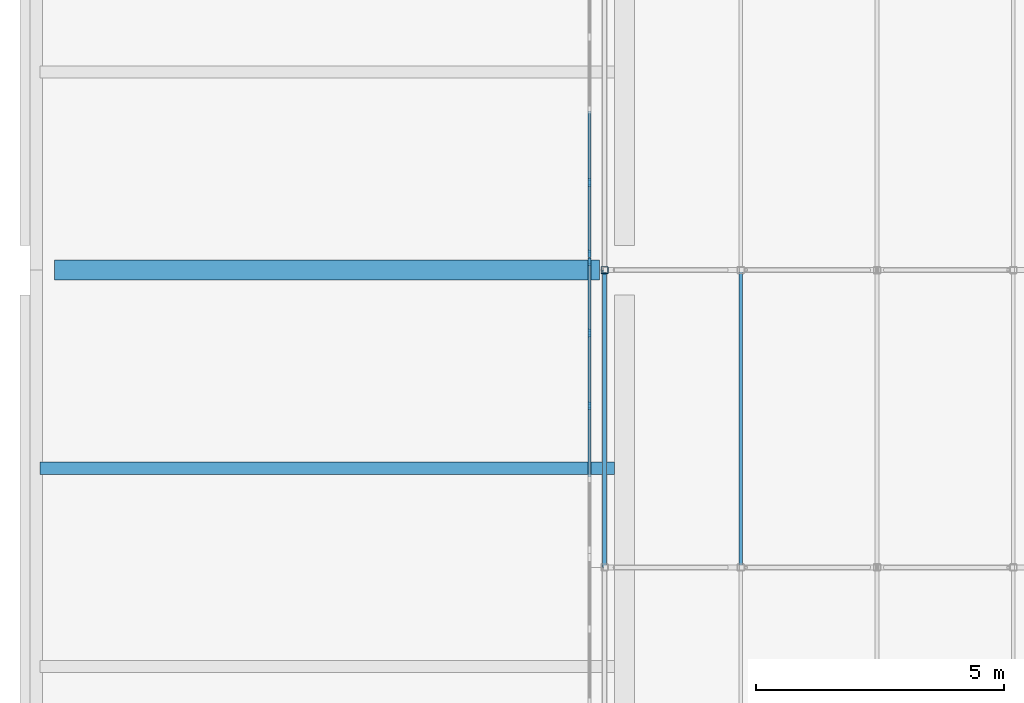
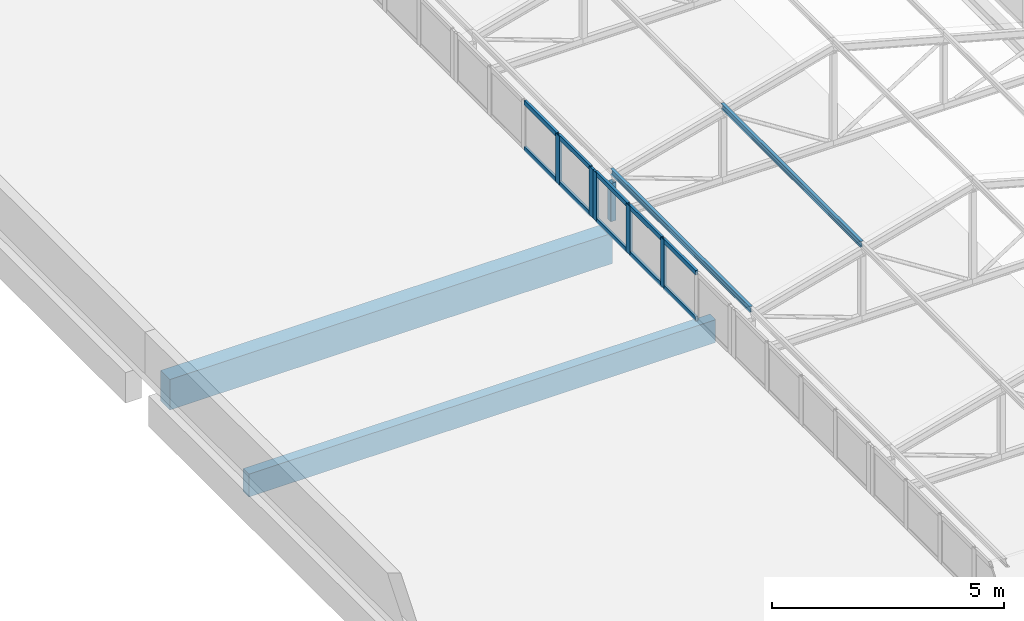
# One storey, part 11 of 94: 18 members, 2 beams, 2 elements without a shape of their own.
"""IFC4 building model written with IfcOpenShell, lengths in metres."""

from ifc_helpers import new_model, si_unit, direction, frame, origin, origin_2d, place, context, subcontext, project, spatial, rectangle, hollow_rectangle, i_section, extrude, material, layer, layer_set, material_profile, profile_set, type_object, element, aggregate, save


model = new_model("IFC4")

# Units and contexts
model_context = context("Model", 3, precision=1e-05, world=origin(), true_north=direction((0.0, 1.0)))
body_context = subcontext(model_context, "Body", "Model", "MODEL_VIEW")
ifc_project = project(units=[si_unit("LENGTHUNIT", "METRE"), si_unit("AREAUNIT", "SQUARE_METRE"), si_unit("VOLUMEUNIT", "CUBIC_METRE"), si_unit("PLANEANGLEUNIT", "RADIAN"), si_unit("MASSUNIT", "GRAM", prefix="KILO")], contexts=[model_context])

# Site, building, storey
site_placement = place(None, origin())
site = spatial("IfcSite", under=ifc_project, at=site_placement, CompositionType="ELEMENT")
building_placement = place(site_placement, origin())
building = spatial("IfcBuilding", under=site, at=building_placement, Name="Lilac Gate Convention Centre", CompositionType="ELEMENT")
storey_placement = place(building_placement, frame((0.0, 0.0, 21.0)))
storey = spatial("IfcBuildingStorey", under=building, at=storey_placement, Name="L04", CompositionType="ELEMENT", Elevation=21.0)

# Curtain wall, members
ifc_material_1 = material(Name="Aluminium framed double glazing", Category="aluminium")
ifc_layer = layer(ifc_material_1, 0.199951171875)
ifc_layer_set = layer_set([ifc_layer], Name="Aluminium framed double glazing")
curtain_wall_type = type_object("IfcCurtainWallType", Name="Unitised curtain wall 1500", PredefinedType="NOTDEFINED", material=ifc_layer_set)
curtain_wall_1_placement = place(storey_placement, origin())
curtain_wall_1 = element("IfcCurtainWall", 1, at=curtain_wall_1_placement, inside=storey, type_object=curtain_wall_type, Name="Lantern clerestory W 6", PredefinedType="NOTDEFINED")
ifc_material_2 = material(Name="Aluminium alloy 6063", Category="aluminium")
ifc_material_profile_1 = material_profile(ifc_material_2, rectangle(XDim=0.06005859375, YDim=0.159912109375, at=origin_2d()), Name="Curtain wall mullion 60 x 160")
ifc_profile_set_1 = profile_set([ifc_material_profile_1], Name="Aluminium alloy 6063")
member_type_1 = type_object("IfcMemberType", Name="Curtain wall mullion 60 x 160", PredefinedType="MULLION", material=ifc_profile_set_1)
member_1_placement = place(storey_placement, frame((17.300048828125, 63.262451171875, 0.0), z_axis=(0.0, 0.0, 1.0), x_axis=(-1.0, 0.0, 0.0)))
member_1 = element("IfcMember", 2, at=member_1_placement, type_object=member_type_1, Name="CW mullion 3", PredefinedType="MULLION", context=body_context, shape_type="SweptSolid", body=[
    extrude(rectangle(XDim=0.06005859375, YDim=0.159912109375, at=origin_2d()), origin(), (0.0, 0.0, 1.0), 1.272216796875),
])
member_2_placement = place(storey_placement, frame((17.300048828125, 64.731201171875, 0.0), z_axis=(0.0, 0.0, 1.0), x_axis=(-1.0, 0.0, 0.0)))
member_2 = element("IfcMember", 3, at=member_2_placement, type_object=member_type_1, Name="CW mullion 4", PredefinedType="MULLION", context=body_context, shape_type="SweptSolid", body=[
    extrude(rectangle(XDim=0.06005859375, YDim=0.159912109375, at=origin_2d()), origin(), (0.0, 0.0, 1.0), 1.272216796875),
])
member_3_placement = place(storey_placement, frame((17.300048828125, 66.169921875, 0.0), z_axis=(0.0, 0.0, 1.0), x_axis=(-1.0, 0.0, 0.0)))
member_3 = element("IfcMember", 4, at=member_3_placement, type_object=member_type_1, Name="CW mullion 5", PredefinedType="MULLION", context=body_context, shape_type="SweptSolid", body=[
    extrude(rectangle(XDim=0.06005859375, YDim=0.159912109375, at=origin_2d()), origin(), (0.0, 0.0, 1.0), 1.272216796875),
])

curtain_wall_2_placement = place(storey_placement, origin())
curtain_wall_2 = element("IfcCurtainWall", 5, at=curtain_wall_2_placement, inside=storey, type_object=curtain_wall_type, Name="Lantern clerestory W 7", PredefinedType="NOTDEFINED")
member_4_placement = place(storey_placement, frame((17.300048828125, 66.330078125, 0.0), z_axis=(0.0, 0.0, 1.0), x_axis=(-1.0, 0.0, 0.0)))
member_4 = element("IfcMember", 6, at=member_4_placement, type_object=member_type_1, Name="CW mullion 1", PredefinedType="MULLION", context=body_context, shape_type="SweptSolid", body=[
    extrude(rectangle(XDim=0.06005859375, YDim=0.159912109375, at=origin_2d()), origin(), (0.0, 0.0, 1.0), 1.272216796875),
])
member_5_placement = place(storey_placement, frame((17.300048828125, 67.768798828125, 0.0), z_axis=(0.0, 0.0, 1.0), x_axis=(-1.0, 0.0, 0.0)))
member_5 = element("IfcMember", 7, at=member_5_placement, type_object=member_type_1, Name="CW mullion 2", PredefinedType="MULLION", context=body_context, shape_type="SweptSolid", body=[
    extrude(rectangle(XDim=0.06005859375, YDim=0.159912109375, at=origin_2d()), origin(), (0.0, 0.0, 1.0), 1.272216796875),
])

# Member
ifc_material_profile_2 = material_profile(ifc_material_2, rectangle(XDim=0.06005859375, YDim=0.1201171875, at=origin_2d()), Name="Curtain wall transom 60 x 120")
ifc_profile_set_2 = profile_set([ifc_material_profile_2], Name="Aluminium alloy 6063")
member_type_2 = type_object("IfcMemberType", Name="Curtain wall transom 60 x 120", PredefinedType="USERDEFINED", material=ifc_profile_set_2)
member_6_placement = place(storey_placement, frame((17.300048828125, 61.82373046875, 0.030029296875), z_axis=(0.0, 1.0, 0.0), x_axis=(-1.0, 0.0, 0.0)))
member_6 = element("IfcMember", 8, at=member_6_placement, type_object=member_type_2, Name="CW transom 2.1", ObjectType="TRANSOM", PredefinedType="USERDEFINED", context=body_context, shape_type="SweptSolid", body=[
    extrude(rectangle(XDim=0.06005859375, YDim=0.1201171875, at=origin_2d()), origin(), (0.0, 0.0, 1.0), 1.40869140625),
])

member_7_placement = place(storey_placement, frame((17.300048828125, 61.82373046875, 1.2421875), z_axis=(0.0, 1.0, 0.0), x_axis=(-1.0, 0.0, 0.0)))
member_7 = element("IfcMember", 9, at=member_7_placement, type_object=member_type_2, Name="CW transom 2.2", ObjectType="TRANSOM", PredefinedType="USERDEFINED", context=body_context, shape_type="SweptSolid", body=[
    extrude(rectangle(XDim=0.06005859375, YDim=0.1201171875, at=origin_2d()), origin(), (0.0, 0.0, 1.0), 1.40869140625),
])

member_8_placement = place(storey_placement, frame((17.300048828125, 63.29248046875, 0.030029296875), z_axis=(0.0, 1.0, 0.0), x_axis=(-1.0, 0.0, 0.0)))
member_8 = element("IfcMember", 10, at=member_8_placement, type_object=member_type_2, Name="CW transom 3.1", ObjectType="TRANSOM", PredefinedType="USERDEFINED", context=body_context, shape_type="SweptSolid", body=[
    extrude(rectangle(XDim=0.06005859375, YDim=0.1201171875, at=origin_2d()), origin(), (0.0, 0.0, 1.0), 1.40869140625),
])

member_9_placement = place(storey_placement, frame((17.300048828125, 63.29248046875, 1.2421875), z_axis=(0.0, 1.0, 0.0), x_axis=(-1.0, 0.0, 0.0)))
member_9 = element("IfcMember", 11, at=member_9_placement, type_object=member_type_2, Name="CW transom 3.2", ObjectType="TRANSOM", PredefinedType="USERDEFINED", context=body_context, shape_type="SweptSolid", body=[
    extrude(rectangle(XDim=0.06005859375, YDim=0.1201171875, at=origin_2d()), origin(), (0.0, 0.0, 1.0), 1.40869140625),
])

member_10_placement = place(storey_placement, frame((17.300048828125, 64.76123046875, 0.030029296875), z_axis=(0.0, 1.0, 0.0), x_axis=(-1.0, 0.0, 0.0)))
member_10 = element("IfcMember", 12, at=member_10_placement, type_object=member_type_2, Name="CW transom 4.1", ObjectType="TRANSOM", PredefinedType="USERDEFINED", context=body_context, shape_type="SweptSolid", body=[
    extrude(rectangle(XDim=0.06005859375, YDim=0.1201171875, at=origin_2d()), origin(), (0.0, 0.0, 1.0), 1.378662109375),
])

member_11_placement = place(storey_placement, frame((17.300048828125, 64.76123046875, 1.2421875), z_axis=(0.0, 1.0, 0.0), x_axis=(-1.0, 0.0, 0.0)))
member_11 = element("IfcMember", 13, at=member_11_placement, type_object=member_type_2, Name="CW transom 4.2", ObjectType="TRANSOM", PredefinedType="USERDEFINED", context=body_context, shape_type="SweptSolid", body=[
    extrude(rectangle(XDim=0.06005859375, YDim=0.1201171875, at=origin_2d()), origin(), (0.0, 0.0, 1.0), 1.378662109375),
])

aggregate(curtain_wall_1, [member_1, member_2, member_3, member_6, member_7, member_8, member_9, member_10, member_11])

member_12_placement = place(storey_placement, frame((17.300048828125, 66.360107421875, 0.030029296875), z_axis=(0.0, 1.0, 0.0), x_axis=(-1.0, 0.0, 0.0)))
member_12 = element("IfcMember", 14, at=member_12_placement, type_object=member_type_2, Name="CW transom 1.1", ObjectType="TRANSOM", PredefinedType="USERDEFINED", context=body_context, shape_type="SweptSolid", body=[
    extrude(rectangle(XDim=0.06005859375, YDim=0.1201171875, at=origin_2d()), origin(), (0.0, 0.0, 1.0), 1.378662109375),
])

member_13_placement = place(storey_placement, frame((17.300048828125, 66.360107421875, 1.2421875), z_axis=(0.0, 1.0, 0.0), x_axis=(-1.0, 0.0, 0.0)))
member_13 = element("IfcMember", 15, at=member_13_placement, type_object=member_type_2, Name="CW transom 1.2", ObjectType="TRANSOM", PredefinedType="USERDEFINED", context=body_context, shape_type="SweptSolid", body=[
    extrude(rectangle(XDim=0.06005859375, YDim=0.1201171875, at=origin_2d()), origin(), (0.0, 0.0, 1.0), 1.378662109375),
])

member_14_placement = place(storey_placement, frame((17.300048828125, 67.798828125, 0.030029296875), z_axis=(0.0, 1.0, 0.0), x_axis=(-1.0, 0.0, 0.0)))
member_14 = element("IfcMember", 16, at=member_14_placement, type_object=member_type_2, Name="CW transom 2.1", ObjectType="TRANSOM", PredefinedType="USERDEFINED", context=body_context, shape_type="SweptSolid", body=[
    extrude(rectangle(XDim=0.06005859375, YDim=0.1201171875, at=origin_2d()), origin(), (0.0, 0.0, 1.0), 1.40869140625),
])

member_15_placement = place(storey_placement, frame((17.300048828125, 67.798828125, 1.2421875), z_axis=(0.0, 1.0, 0.0), x_axis=(-1.0, 0.0, 0.0)))
member_15 = element("IfcMember", 17, at=member_15_placement, type_object=member_type_2, Name="CW transom 2.2", ObjectType="TRANSOM", PredefinedType="USERDEFINED", context=body_context, shape_type="SweptSolid", body=[
    extrude(rectangle(XDim=0.06005859375, YDim=0.1201171875, at=origin_2d()), origin(), (0.0, 0.0, 1.0), 1.40869140625),
])

aggregate(curtain_wall_2, [member_4, member_5, member_12, member_13, member_14, member_15])

# Members
ifc_material_3 = material(Name="Steel Q355B", Category="steel")
ifc_material_profile_3 = material_profile(ifc_material_3, hollow_rectangle(XDim=0.139892578125, YDim=0.139892578125, WallThickness=0.0048828125, InnerFilletRadius=0.0048828125, OuterFilletRadius=0.010009765625, at=origin_2d()), Name="SHS140x140x5")
ifc_profile_set_3 = profile_set([ifc_material_profile_3], Name="Steel Q355B")
member_type_3 = type_object("IfcMemberType", Name="Lantern post SHS140x140x5", PredefinedType="STRUT", material=ifc_profile_set_3)
member_16_placement = place(storey_placement, frame((17.60009765625, 66.0, 0.0), z_axis=(0.0, 0.0, 1.0), x_axis=(1.0, 0.0, 0.0)))
element("IfcMember", 18, at=member_16_placement, inside=storey, type_object=member_type_3, Name="LV1 lantern truss 7 post 1", PredefinedType="STRUT", context=body_context, shape_type="SweptSolid", body=[
    extrude(hollow_rectangle(XDim=0.139892578125, YDim=0.139892578125, WallThickness=0.0048828125, InnerFilletRadius=0.0048828125, OuterFilletRadius=0.010009765625, at=origin_2d()), origin(), (0.0, 0.0, 1.0), 1.001953125),
])
ifc_material_profile_4 = material_profile(ifc_material_3, i_section(OverallWidth=0.074951171875, OverallDepth=0.14990234375, WebThickness=0.0048828125, FlangeThickness=0.007080078125, FilletRadius=0.008056640625, at=origin_2d()), Name="HN150x75x5x7")
ifc_profile_set_4 = profile_set([ifc_material_profile_4], Name="Steel Q355B")
member_type_4 = type_object("IfcMemberType", Name="Lantern purlin HN150x75x5x7", PredefinedType="PURLIN", material=ifc_profile_set_4)
for number, where, z_axis, x_axis, name in (
    (19, (17.60009765625, 60.0, 1.279052734375), (0.0, 1.0, 0.0), (-1.0, 0.0, 0.0), "LP1 lantern purlin bay 6 line 1"),
    (20, (20.35009765625, 60.0, 2.029052734375), (0.0, 1.0, 0.0), (-1.0, 0.0, 0.0), "LP1 lantern purlin bay 6 line 2"),
):
    element("IfcMember", number, at=place(storey_placement, frame(where, z_axis=z_axis, x_axis=x_axis)), inside=storey, type_object=member_type_4, Name=name, PredefinedType="PURLIN", context=body_context, shape_type="SweptSolid", body=[
        extrude(i_section(OverallWidth=0.074951171875, OverallDepth=0.14990234375, WebThickness=0.0048828125, FlangeThickness=0.007080078125, FilletRadius=0.008056640625, at=origin_2d()), origin(), (0.0, 0.0, 1.0), 6.0),
    ])

# Beams
ifc_material_4 = material(Name="Concrete C40", Category="concrete")
ifc_material_profile_5 = material_profile(ifc_material_4, rectangle(XDim=0.39990234375, YDim=0.800048828125, at=origin_2d()), Name="RC 400x800")
ifc_profile_set_5 = profile_set([ifc_material_profile_5], Name="Concrete C40")
beam_type_1 = type_object("IfcBeamType", Name="Tower primary beam 400x800 C40", PredefinedType="BEAM", material=ifc_profile_set_5)
beam_1_placement = place(storey_placement, frame((6.5, 66.0, -0.60009765625), z_axis=(1.0, 0.0, 0.0), x_axis=(0.0, 1.0, 0.0)))
element("IfcBeam", 21, at=beam_1_placement, inside=storey, type_object=beam_type_1, Name="RB3 L04 1/D-2/D", PredefinedType="BEAM", context=body_context, shape_type="SweptSolid", body=[
    extrude(rectangle(XDim=0.39990234375, YDim=0.800048828125, at=origin_2d()), origin(), (0.0, 0.0, 1.0), 11.0),
])
ifc_material_profile_6 = material_profile(ifc_material_4, rectangle(XDim=0.25, YDim=0.60009765625, at=origin_2d()), Name="RC 250x600")
ifc_profile_set_6 = profile_set([ifc_material_profile_6], Name="Concrete C40")
beam_type_2 = type_object("IfcBeamType", Name="Tower secondary beam 250x600 C40", PredefinedType="BEAM", material=ifc_profile_set_6)
beam_2_placement = place(storey_placement, frame((6.199951171875, 62.0, -0.5), z_axis=(1.0, 0.0, 0.0), x_axis=(0.0, 1.0, 0.0)))
element("IfcBeam", 22, at=beam_2_placement, inside=storey, type_object=beam_type_2, Name="RB4 L04 bay 1/C", PredefinedType="BEAM", context=body_context, shape_type="SweptSolid", body=[
    extrude(rectangle(XDim=0.25, YDim=0.60009765625, at=origin_2d()), origin(), (0.0, 0.0, 1.0), 11.60009765625),
])

save(model, "model.ifc")
